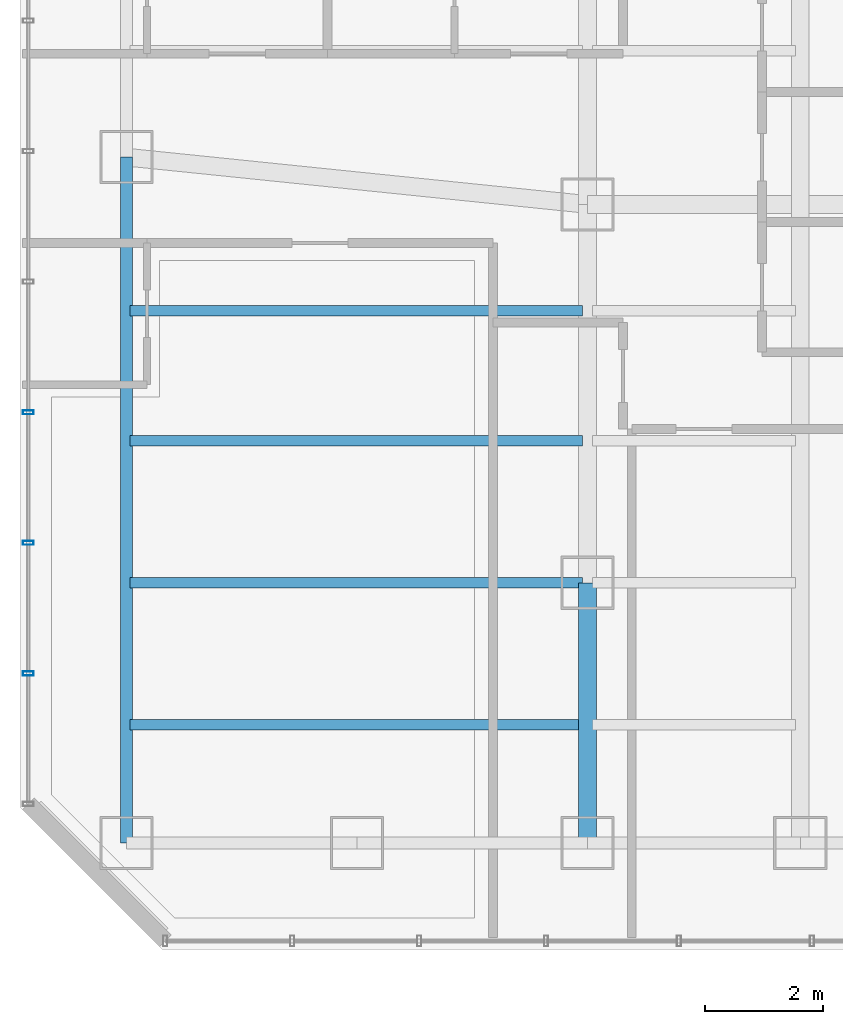
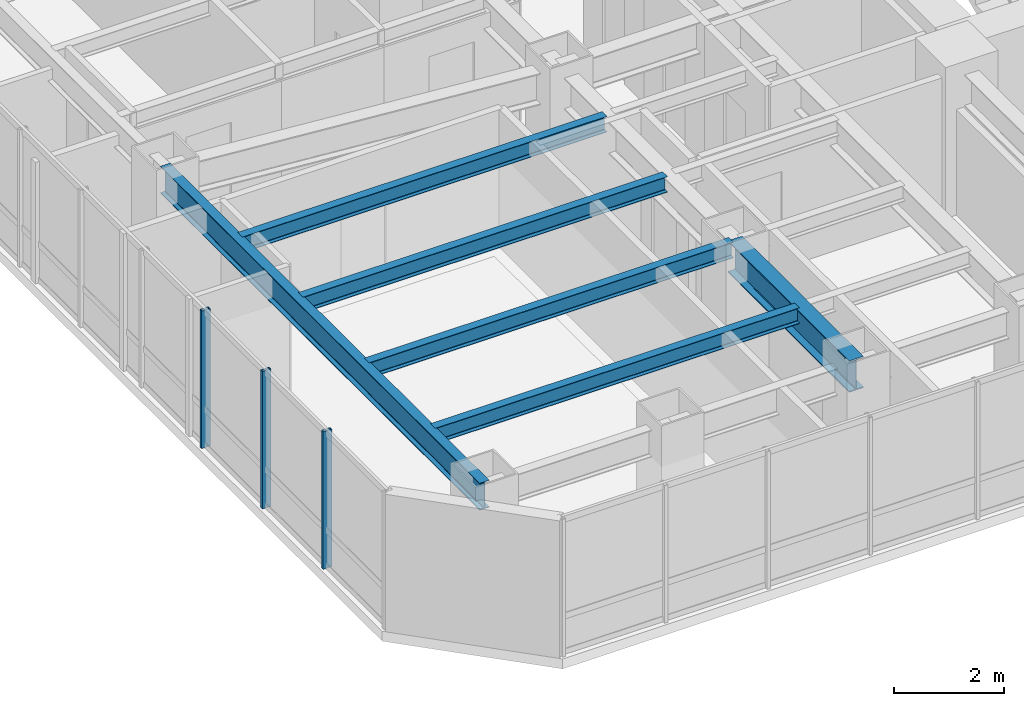
# One storey, part 7 of 36: 6 beams, 3 members, 1 element without a shape of its own.
"""IFC4 building model written with IfcOpenShell, lengths in metres."""

import ifcopenshell
import ifcopenshell.guid

model = None  # the IFC model being written
_history = None  # IfcOwnerHistory: only IFC2X3 demands one
_inside = {}  # id of a spatial element -> (the spatial element, [elements in it])
_under = {}  # id of a project, library or spatial element -> (it, [spatial elements below it])
_declared = {}  # id of a project -> (the project, [libraries it declares])
_typed = {}  # id of a type object -> (the type object, [elements of that type])
_made_of = {}  # id of a material, layer set ... -> (it, [elements and type objects made of it])


def new_model(schema):
    """Start an empty IFC model of exactly this schema.

    Asked for "IFC4X3", IfcOpenShell would pick the latest addendum, in which some entities
    have other attributes; the version numbers below select the first issue.
    IFC2X3 requires an IfcOwnerHistory on every rooted entity: one is made here for all.
    """
    global model, _history
    if schema == "IFC4X3":
        model = ifcopenshell.file(schema_version=(4, 3, 0, 0))
    else:
        model = ifcopenshell.file(schema=schema)
    _inside.clear()
    _under.clear()
    _declared.clear()
    _typed.clear()
    _made_of.clear()
    _history = None
    if model.schema == "IFC2X3":
        org = make("IfcOrganization", Name="unknown")
        user = make(
            "IfcPersonAndOrganization",
            ThePerson=make("IfcPerson", FamilyName="unknown"),
            TheOrganization=org,
        )
        app = make(
            "IfcApplication",
            ApplicationDeveloper=org,
            Version="unknown",
            ApplicationFullName="unknown",
            ApplicationIdentifier="unknown",
        )
        _history = make(
            "IfcOwnerHistory",
            OwningUser=user,
            OwningApplication=app,
            ChangeAction="ADDED",
            CreationDate=0,
        )
    return model


def make(cls, **values):
    """One entity of the class cls with the attributes given. An attribute that is None is left unset."""
    return model.create_entity(
        cls, **{name: value for name, value in values.items() if value is not None}
    )


def rooted(cls, **values):
    """An entity with a GlobalId (a new one), such as an element, a storey or a relation."""
    return make(cls, GlobalId=ifcopenshell.guid.new(), OwnerHistory=_history, **values)


def si_unit(unit_type, name, prefix=None):
    """IfcSIUnit, for example si_unit("LENGTHUNIT", "METRE", prefix="MILLI")."""
    return make("IfcSIUnit", UnitType=unit_type, Prefix=prefix, Name=name)


def assignment(units):
    """IfcUnitAssignment: the units of a project."""
    return None if units is None else make("IfcUnitAssignment", Units=units)


def point(xyz):
    """IfcCartesianPoint."""
    return None if xyz is None else make("IfcCartesianPoint", Coordinates=xyz)


def direction(xyz):
    """IfcDirection."""
    return None if xyz is None else make("IfcDirection", DirectionRatios=xyz)


def frame(location, z_axis=None, x_axis=None):
    """IfcAxis2Placement3D, a coordinate frame: its origin and axes. An axis left out is left unset."""
    return make(
        "IfcAxis2Placement3D",
        Location=point(location),
        Axis=direction(z_axis),
        RefDirection=direction(x_axis),
    )


def frame_2d(location, x_axis=None):
    """IfcAxis2Placement2D, a coordinate frame in the plane: its origin and x axis."""
    return make(
        "IfcAxis2Placement2D", Location=point(location), RefDirection=direction(x_axis)
    )


def origin():
    """The frame at (0, 0, 0) with its axes left unset."""
    return frame((0.0, 0.0, 0.0))


def origin_2d():
    """The frame at (0, 0) in the plane with its x axis left unset."""
    return frame_2d((0.0, 0.0))


def place(relative_to, where):
    """IfcLocalPlacement: puts the frame where relative to a parent placement (None: the world)."""
    return make(
        "IfcLocalPlacement", PlacementRelTo=relative_to, RelativePlacement=where
    )


def context(
    kind, dimensions, precision=None, world=None, true_north=None, identifier=None
):
    """IfcGeometricRepresentationContext, for example the 3D "Model" context."""
    return make(
        "IfcGeometricRepresentationContext",
        ContextIdentifier=identifier,
        ContextType=kind,
        CoordinateSpaceDimension=dimensions,
        Precision=precision,
        WorldCoordinateSystem=world,
        TrueNorth=true_north,
    )


def subcontext(parent, identifier, kind, view, scale=None):
    """IfcGeometricRepresentationSubContext, for example "Body" below "Model"."""
    return make(
        "IfcGeometricRepresentationSubContext",
        ContextIdentifier=identifier,
        ContextType=kind,
        ParentContext=parent,
        TargetScale=scale,
        TargetView=view,
    )


def project(units=None, contexts=None):
    """IfcProject with its units and contexts."""
    return rooted(
        "IfcProject",
        Name="project",
        RepresentationContexts=contexts,
        UnitsInContext=assignment(units),
    )


def spatial(cls, under=None, at=None, **own):
    """A site, building, storey or space (cls), placed at a placement, below another one or the project."""
    s = rooted(cls, ObjectPlacement=at, **own)
    if under is not None:
        _under.setdefault(under.id(), (under, []))[1].append(s)
    return s


def profile(cls, at=None, kind="AREA", **sizes):
    """A parametric profile (cls). Its sizes go by their IFC names, for example OverallWidth=200.0."""
    return make(cls, ProfileType=kind, Position=at, **sizes)


def hollow_rectangle(**sizes):
    """IfcRectangleHollowProfileDef."""
    return profile("IfcRectangleHollowProfileDef", **sizes)


def i_section(**sizes):
    """IfcIShapeProfileDef."""
    return profile("IfcIShapeProfileDef", **sizes)


def extrude(swept, where, along, depth):
    """IfcExtrudedAreaSolid: the profile swept, set in the frame where, extruded along a direction by depth."""
    return make(
        "IfcExtrudedAreaSolid",
        SweptArea=swept,
        Position=where,
        ExtrudedDirection=direction(along),
        Depth=depth,
    )


def shape(context_of_items, identifier, shape_type, items):
    """IfcShapeRepresentation: the items that make up one representation, for example the "Body"."""
    return make(
        "IfcShapeRepresentation",
        ContextOfItems=context_of_items,
        RepresentationIdentifier=identifier,
        RepresentationType=shape_type,
        Items=items,
    )


def material(Name=None, Category=None):
    """IfcMaterial."""
    return make("IfcMaterial", Name=Name, Category=Category)


def layer(
    of_material, thickness, ventilated=None, Name=None, Category=None, Priority=None
):
    """IfcMaterialLayer: one layer of a wall or slab, of a material (None: an air gap)."""
    return make(
        "IfcMaterialLayer",
        Material=of_material,
        LayerThickness=thickness,
        IsVentilated=ventilated,
        Name=Name,
        Category=Category,
        Priority=Priority,
    )


def layer_set(layers, Name=None):
    """IfcMaterialLayerSet."""
    return make("IfcMaterialLayerSet", MaterialLayers=layers, LayerSetName=Name)


def material_profile(
    of_material, cross_section, Name=None, Category=None, Priority=None
):
    """IfcMaterialProfile: a cross section and its material."""
    return make(
        "IfcMaterialProfile",
        Name=Name,
        Material=of_material,
        Profile=cross_section,
        Priority=Priority,
        Category=Category,
    )


def profile_set(profiles, Name=None, composite=None):
    """IfcMaterialProfileSet."""
    return make(
        "IfcMaterialProfileSet",
        Name=Name,
        MaterialProfiles=profiles,
        CompositeProfile=composite,
    )


def made_of(thing, what):
    """Note that an element or type object is made of a material, layer set ...; save() writes the relation."""
    if what is not None:
        _made_of.setdefault(what.id(), (what, []))[1].append(thing)
    return thing


def type_object(cls, material=None, **own):
    """A type object (cls), such as IfcWallType, which elements share."""
    return made_of(rooted(cls, **own), material)


def element(
    cls,
    number,
    at=None,
    inside=None,
    cuts=None,
    type_object=None,
    material=None,
    context=None,
    identifier="Body",
    shape_type=None,
    held_by="IfcProductDefinitionShape",
    body=None,
    shapes=None,
    **own,
):
    """One element of the class cls, such as IfcWall. Its Tag is "e" and its number.

    at: its placement. inside: the storey or other place that contains it. cuts: it is an
    opening in that element (IfcRelVoidsElement). A single representation is given by context,
    identifier, shape_type and body (its items); several are given by shapes. held_by: the class
    of the entity that holds the representations. save() writes the other relations.
    """
    e = rooted(cls, Tag="e%d" % number, ObjectPlacement=at, **own)
    if body is not None:
        shapes = [shape(context, identifier, shape_type, body)]
    if shapes is not None:
        e.Representation = make(held_by, Representations=shapes)
    if inside is not None:
        _inside.setdefault(inside.id(), (inside, []))[1].append(e)
    if cuts is not None:
        rooted(
            "IfcRelVoidsElement", RelatingBuildingElement=cuts, RelatedOpeningElement=e
        )
    if type_object is not None:
        _typed.setdefault(type_object.id(), (type_object, []))[1].append(e)
    return made_of(e, material)


def aggregate(whole, parts):
    """IfcRelAggregates: a whole, such as a stair, and the parts it consists of."""
    return rooted("IfcRelAggregates", RelatingObject=whole, RelatedObjects=parts)


def save(model, path):
    """Write the relations noted so far, then the file.

    IfcRelAggregates (storeys below a building ...), IfcRelContainedInSpatialStructure (elements
    in a storey), IfcRelDefinesByType, IfcRelAssociatesMaterial and IfcRelDeclares: one each for
    every whole, place, type object, material and project.
    """
    for whole, parts in _under.values():
        aggregate(whole, parts)
    for where, things in _inside.values():
        rooted(
            "IfcRelContainedInSpatialStructure",
            RelatedElements=things,
            RelatingStructure=where,
        )
    for kind, things in _typed.values():
        rooted("IfcRelDefinesByType", RelatedObjects=things, RelatingType=kind)
    for what, things in _made_of.values():
        rooted("IfcRelAssociatesMaterial", RelatedObjects=things, RelatingMaterial=what)
    for by, libraries in _declared.values():
        rooted("IfcRelDeclares", RelatingContext=by, RelatedDefinitions=libraries)
    model.write(path)


model = new_model("IFC4")

# Units and contexts
model_context = context("Model", 3, precision=1e-05, world=origin(), true_north=direction((0.0, 1.0)))
body_context = subcontext(model_context, "Body", "Model", "MODEL_VIEW")
ifc_project = project(units=[si_unit("LENGTHUNIT", "METRE"), si_unit("AREAUNIT", "SQUARE_METRE"), si_unit("VOLUMEUNIT", "CUBIC_METRE"), si_unit("PLANEANGLEUNIT", "RADIAN"), si_unit("MASSUNIT", "GRAM", prefix="KILO")], contexts=[model_context])

# Site, building, storey
site_placement = place(None, origin())
site = spatial("IfcSite", under=ifc_project, at=site_placement, CompositionType="ELEMENT")
building_placement = place(site_placement, origin())
building = spatial("IfcBuilding", under=site, at=building_placement, Name="Hatsunagi Terrace Concourse", CompositionType="ELEMENT")
storey_placement = place(building_placement, frame((0.0, 0.0, 88.0)))
storey = spatial("IfcBuildingStorey", under=building, at=storey_placement, Name="L23", CompositionType="ELEMENT", Elevation=88.0)

# Curtain wall, members
ifc_material_1 = material(Name="Anodised Aluminium Alloy 6063-T5", Category="aluminium")
ifc_layer = layer(ifc_material_1, 0.199951171875)
ifc_layer_set = layer_set([ifc_layer], Name="HotelFacade_CW02")
curtain_wall_type = type_object("IfcCurtainWallType", Name="HotelFacade_CW02", PredefinedType="NOTDEFINED", material=ifc_layer_set)
curtain_wall_placement = place(storey_placement, origin())
curtain_wall = element("IfcCurtainWall", 1, at=curtain_wall_placement, inside=storey, type_object=curtain_wall_type, Name="Unitised Curtain Wall CW-02 CW-L23-09", PredefinedType="NOTDEFINED")
ifc_material_2 = material(Name="Anodised Aluminium Alloy 6063-T5", Category="aluminium")
ifc_material_profile_1 = material_profile(ifc_material_2, hollow_rectangle(XDim=0.070068359375, YDim=0.179931640625, WallThickness=0.00390625, at=origin_2d()), Name="ALU-MUL-180x70x4")
ifc_profile_set_1 = profile_set([ifc_material_profile_1], Name="Anodised Aluminium Alloy 6063-T5")
member_type = type_object("IfcMemberType", Name="CurtainWallMullion_180x70", PredefinedType="MULLION", material=ifc_profile_set_1)
member_1_placement = place(storey_placement, frame((9.739990234375, 28.06591796875, 0.0), z_axis=(0.0, 0.0, 1.0), x_axis=(0.0, 1.0, 0.0)))
member_1 = element("IfcMember", 2, at=member_1_placement, type_object=member_type, Name="Curtain Wall Mullion MUL-02", PredefinedType="MULLION", context=body_context, shape_type="SweptSolid", body=[
    extrude(hollow_rectangle(XDim=0.070068359375, YDim=0.179931640625, WallThickness=0.00390625, at=origin_2d()), origin(), (0.0, 0.0, 1.0), 3.050048828125),
])
member_2_placement = place(storey_placement, frame((9.739990234375, 30.27490234375, 0.0), z_axis=(0.0, 0.0, 1.0), x_axis=(0.0, 1.0, 0.0)))
member_2 = element("IfcMember", 3, at=member_2_placement, type_object=member_type, Name="Curtain Wall Mullion MUL-02", PredefinedType="MULLION", context=body_context, shape_type="SweptSolid", body=[
    extrude(hollow_rectangle(XDim=0.070068359375, YDim=0.179931640625, WallThickness=0.00390625, at=origin_2d()), origin(), (0.0, 0.0, 1.0), 3.050048828125),
])
member_3_placement = place(storey_placement, frame((9.739990234375, 32.48291015625, 0.0), z_axis=(0.0, 0.0, 1.0), x_axis=(0.0, 1.0, 0.0)))
member_3 = element("IfcMember", 4, at=member_3_placement, type_object=member_type, Name="Curtain Wall Mullion MUL-02", PredefinedType="MULLION", context=body_context, shape_type="SweptSolid", body=[
    extrude(hollow_rectangle(XDim=0.070068359375, YDim=0.179931640625, WallThickness=0.00390625, at=origin_2d()), origin(), (0.0, 0.0, 1.0), 3.050048828125),
])
aggregate(curtain_wall, [member_1, member_2, member_3])

# Beams
ifc_material_3 = material(Name="Steel SN490B", Category="steel")
ifc_material_profile_2 = material_profile(ifc_material_3, i_section(OverallWidth=0.300048828125, OverallDepth=0.699951171875, WebThickness=0.012939453125, FlangeThickness=0.02392578125, FilletRadius=0.02197265625, at=origin_2d()), Name="H-700x300x13x24")
ifc_profile_set_2 = profile_set([ifc_material_profile_2], Name="Steel SN490B")
beam_type_1 = type_object("IfcBeamType", Name="HotelFloorGirder_H_700x300", PredefinedType="BEAM", material=ifc_profile_set_2)
beam_1_placement = place(storey_placement, frame((19.199951171875, 25.199951171875, 2.699951171875), z_axis=(0.0, 1.0, 0.0), x_axis=(-1.0, 0.0, 0.0)))
element("IfcBeam", 5, at=beam_1_placement, inside=storey, type_object=beam_type_1, Name="Beam G-04 BM-L23-NS-19-25", PredefinedType="BEAM", context=body_context, shape_type="SweptSolid", body=[
    extrude(i_section(OverallWidth=0.300048828125, OverallDepth=0.699951171875, WebThickness=0.012939453125, FlangeThickness=0.02392578125, FilletRadius=0.02197265625, at=origin_2d()), origin(), (0.0, 0.0, 1.0), 4.400146484375),
])
ifc_material_4 = material(Name="Steel SN490B", Category="steel")
ifc_material_profile_3 = material_profile(ifc_material_4, i_section(OverallWidth=0.175048828125, OverallDepth=0.35009765625, WebThickness=0.007080078125, FlangeThickness=0.010986328125, FilletRadius=0.012939453125, at=origin_2d()), Name="H-350x175x7x11")
ifc_profile_set_3 = profile_set([ifc_material_profile_3], Name="Steel SN490B")
beam_type_2 = type_object("IfcBeamType", Name="HotelJoist_H_350x175", PredefinedType="JOIST", material=ifc_profile_set_3)
for number, where, z_axis, x_axis, name in (
    (6, (11.465087890625, 27.199951171875, 2.875), (1.0, 0.0, 0.0), (0.0, 1.0, 0.0), "Beam J-02 J-L23-W-11-272"),
    (7, (11.465087890625, 29.60009765625, 2.875), (1.0, 0.0, 0.0), (0.0, 1.0, 0.0), "Beam J-02 J-L23-W-11-296"),
    (8, (11.465087890625, 32.0, 2.875), (1.0, 0.0, 0.0), (0.0, 1.0, 0.0), "Beam J-02 J-L23-W-11-320"),
    (9, (11.465087890625, 34.199951171875, 2.875), (1.0, 0.0, 0.0), (0.0, 1.0, 0.0), "Beam J-02 J-L23-W-11-342"),
):
    element("IfcBeam", number, at=place(storey_placement, frame(where, z_axis=z_axis, x_axis=x_axis)), inside=storey, type_object=beam_type_2, Name=name, PredefinedType="JOIST", context=body_context, shape_type="SweptSolid", body=[
        extrude(i_section(OverallWidth=0.175048828125, OverallDepth=0.35009765625, WebThickness=0.007080078125, FlangeThickness=0.010986328125, FilletRadius=0.012939453125, at=origin_2d()), origin(), (0.0, 0.0, 1.0), 7.64990234375),
    ])
ifc_material_5 = material(Name="Steel SN490B", Category="steel")
ifc_material_profile_4 = material_profile(ifc_material_5, i_section(OverallWidth=0.199951171875, OverallDepth=0.60009765625, WebThickness=0.010986328125, FlangeThickness=0.01708984375, FilletRadius=0.01806640625, at=origin_2d()), Name="H-600x200x11x17")
ifc_profile_set_4 = profile_set([ifc_material_profile_4], Name="Steel SN490B")
beam_type_3 = type_object("IfcBeamType", Name="PerimeterSpandrel_H_600x200", PredefinedType="SPANDREL", material=ifc_profile_set_4)
beam_2_placement = place(storey_placement, frame((11.39990234375, 25.199951171875, 2.75), z_axis=(0.0, 1.0, 0.0), x_axis=(-1.0, 0.0, 0.0)))
element("IfcBeam", 10, at=beam_2_placement, inside=storey, type_object=beam_type_3, Name="Beam SP-01 BM-L23-NS-11-25", PredefinedType="SPANDREL", context=body_context, shape_type="SweptSolid", body=[
    extrude(i_section(OverallWidth=0.199951171875, OverallDepth=0.60009765625, WebThickness=0.010986328125, FlangeThickness=0.01708984375, FilletRadius=0.01806640625, at=origin_2d()), origin(), (0.0, 0.0, 1.0), 11.60009765625),
])

save(model, "model.ifc")
